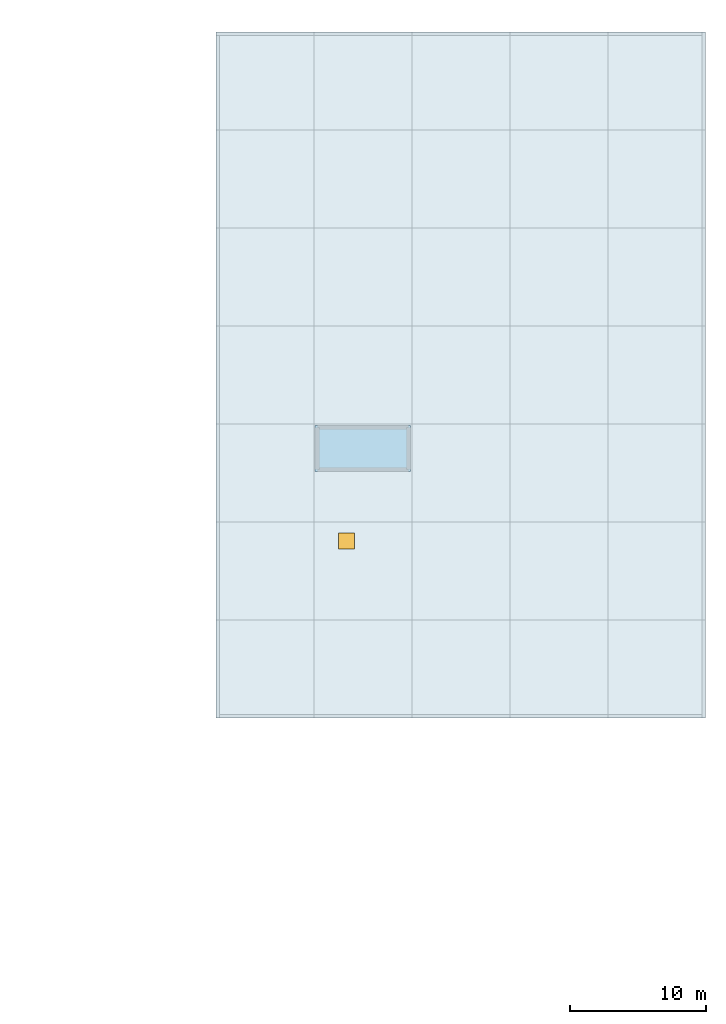
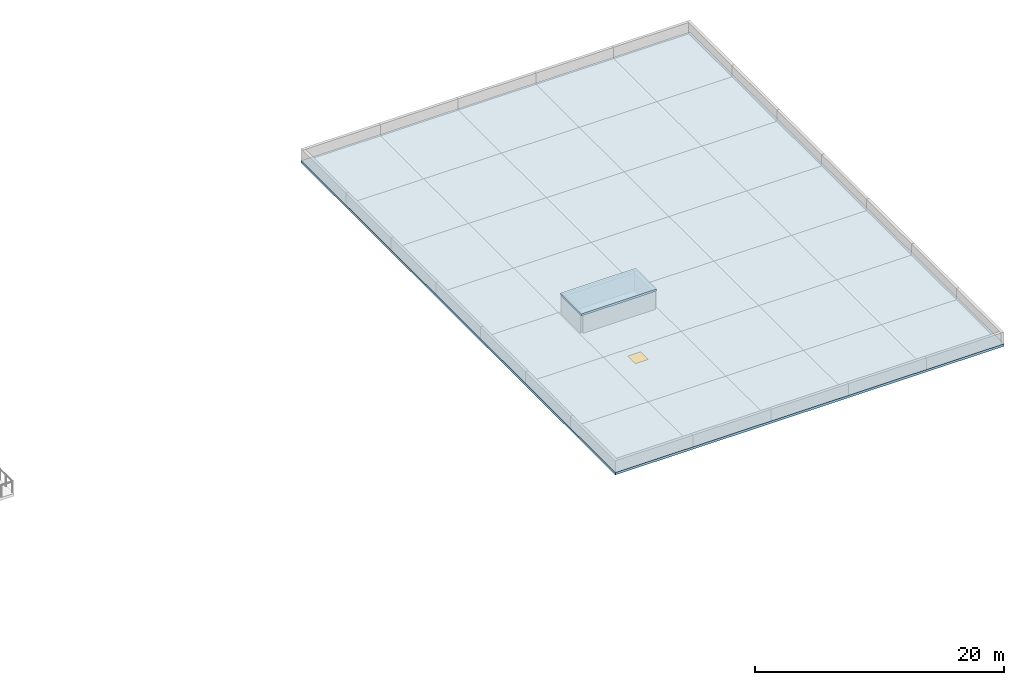
# One storey, part 10 of 22: 2 slabs, 1 window, 1 opening.
"""IFC4 building model written with IfcOpenShell, lengths in metres."""

from ifc_helpers import new_model, si_unit, direction, frame, origin, origin_2d, place, context, subcontext, project, spatial, polyline, rectangle, outline, extrude, material, layer, layer_set, type_object, element, fill, save


model = new_model("IFC4")

# Units and contexts
model_context = context("Model", 3, precision=1e-05, world=origin(), true_north=direction((0.0, 1.0)))
body_context = subcontext(model_context, "Body", "Model", "MODEL_VIEW")
ifc_project = project(units=[si_unit("LENGTHUNIT", "METRE"), si_unit("AREAUNIT", "SQUARE_METRE"), si_unit("VOLUMEUNIT", "CUBIC_METRE"), si_unit("PLANEANGLEUNIT", "RADIAN"), si_unit("MASSUNIT", "GRAM", prefix="KILO")], contexts=[model_context])

# Site, building, storey
site_placement = place(None, origin())
site = spatial("IfcSite", under=ifc_project, at=site_placement, CompositionType="ELEMENT")
building_placement = place(site_placement, origin())
building = spatial("IfcBuilding", under=site, at=building_placement, Name="Thalmaran Polytechnic", CompositionType="ELEMENT")
storey_placement = place(building_placement, frame((0.0, 0.0, 22.800048828125)))
storey = spatial("IfcBuildingStorey", under=building, at=storey_placement, Name="L05", CompositionType="ELEMENT", Elevation=22.800048828125)

# Slab, opening, window
ifc_material_1 = material(Name="Concrete C40/50", Category="concrete")
ifc_layer_1 = layer(ifc_material_1, 0.235107421875, Name="Concrete C40/50")
ifc_layer_set_1 = layer_set([ifc_layer_1], Name="Concrete C40/50")
slab_type_1 = type_object("IfcSlabType", Name="SL-RF02", PredefinedType="ROOF", material=ifc_layer_set_1)
slab_1_placement = place(storey_placement, frame((0.0, 0.0, -0.235107421875)))
slab_1 = element("IfcSlab", 1, at=slab_1_placement, inside=storey, type_object=slab_type_1, Name="East Wing Roof Slab L05-1", PredefinedType="ROOF", context=body_context, shape_type="SweptSolid", body=[
    extrude(outline(polyline([(136.800048828125, 100.800048828125), (136.800048828125, 108.0), (136.800048828125, 115.199951171875), (136.800048828125, 122.39990234375), (144.0, 122.39990234375), (151.199951171875, 122.39990234375), (158.39990234375, 122.39990234375), (165.60009765625, 122.39990234375), (172.800048828125, 122.39990234375), (172.800048828125, 115.199951171875), (172.800048828125, 108.0), (172.800048828125, 100.800048828125), (172.800048828125, 93.60009765625), (172.800048828125, 86.39990234375), (172.800048828125, 79.199951171875), (172.800048828125, 72.0), (165.60009765625, 72.0), (158.39990234375, 72.0), (151.199951171875, 72.0), (144.0, 72.0), (136.800048828125, 72.0), (136.800048828125, 79.199951171875), (136.800048828125, 86.39990234375), (136.800048828125, 93.60009765625), (136.800048828125, 100.800048828125)]), holes=[polyline([(145.800048828125, 84.39990234375), (147.0, 84.39990234375), (147.0, 85.60009765625), (145.800048828125, 85.60009765625), (145.800048828125, 84.39990234375)])]), origin(), (0.0, 0.0, 1.0), 0.235107421875),
])
opening_placement = place(slab_1_placement, frame((146.39990234375, 85.0, 0.0)))
opening = element("IfcOpeningElement", 2, at=opening_placement, cuts=slab_1, Name="Opening SK03", PredefinedType="OPENING", context=body_context, shape_type="SweptSolid", body=[
    extrude(rectangle(XDim=1.199951171875, YDim=1.199951171875, at=origin_2d()), frame((0.0, 0.0, -0.010009765625)), (0.0, 0.0, 1.0), 0.255126953125),
])
ifc_material_2 = material(Name="Thermally broken aluminium and double low-E glass", Category="aluminium")
window_type = type_object("IfcWindowType", Name="WN-SK03", PartitioningType="SINGLE_PANEL", PredefinedType="SKYLIGHT", material=ifc_material_2)
window_placement = place(opening_placement, frame((0.0, 0.0, 0.18505859375)))
window = element("IfcWindow", 3, at=window_placement, inside=storey, type_object=window_type, Name="East Wing Maintenance Roof Hatch", OverallHeight=1.199951171875, OverallWidth=1.199951171875, PartitioningType="SINGLE_PANEL", PredefinedType="SKYLIGHT", context=body_context, shape_type="SweptSolid", body=[
    extrude(rectangle(XDim=1.199951171875, YDim=1.199951171875, at=origin_2d()), origin(), (0.0, 0.0, 1.0), 0.050048828125),
])
fill(opening, window)

# Slab
ifc_layer_2 = layer(ifc_material_1, 0.18994140625, Name="Concrete C40/50")
ifc_layer_set_2 = layer_set([ifc_layer_2], Name="Concrete C40/50")
slab_type_2 = type_object("IfcSlabType", Name="SL-RF05", PredefinedType="ROOF", material=ifc_layer_set_2)
slab_2_placement = place(storey_placement, frame((0.0, 0.0, 1.800048828125)))
element("IfcSlab", 4, at=slab_2_placement, inside=storey, type_object=slab_type_2, Name="Core C5 Lift Overrun Cap Slab", PredefinedType="ROOF", context=body_context, shape_type="SweptSolid", body=[
    extrude(outline(polyline([(144.10009765625, 90.10009765625), (151.10009765625, 90.10009765625), (151.10009765625, 93.5), (144.10009765625, 93.5), (144.10009765625, 90.10009765625)])), origin(), (0.0, 0.0, 1.0), 0.18994140625),
])

save(model, "model.ifc")
